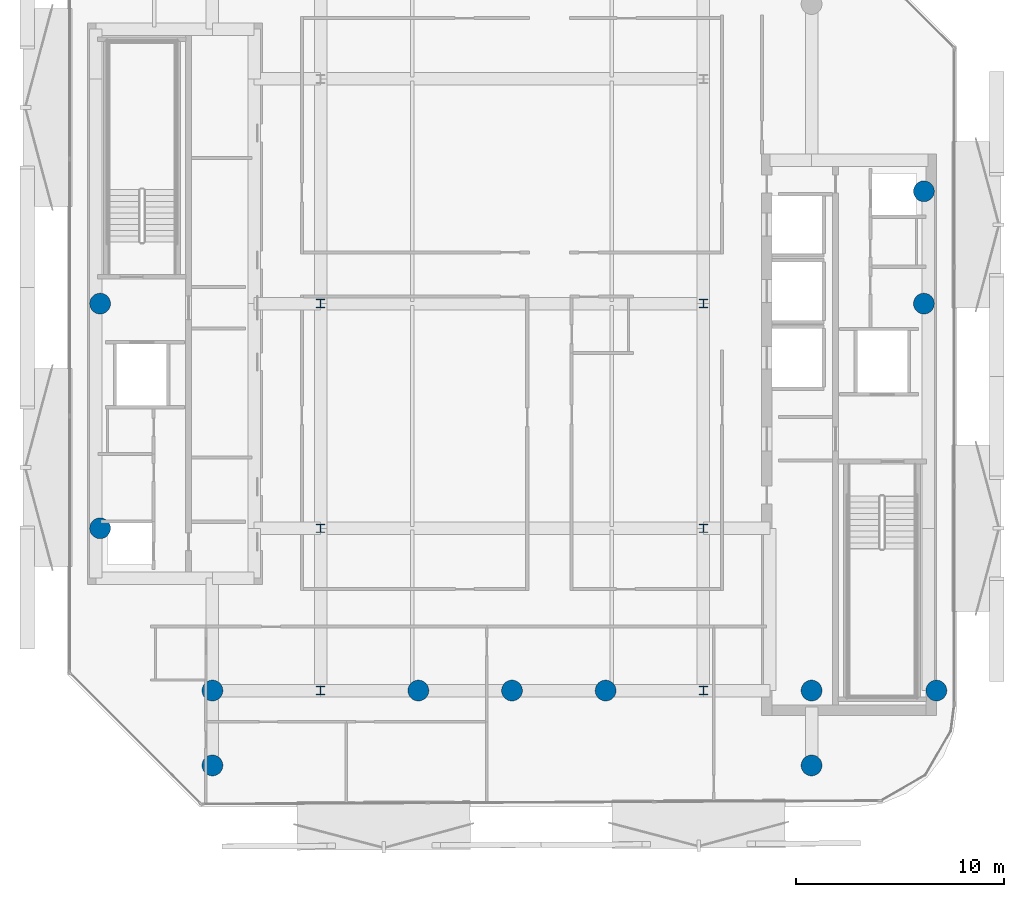
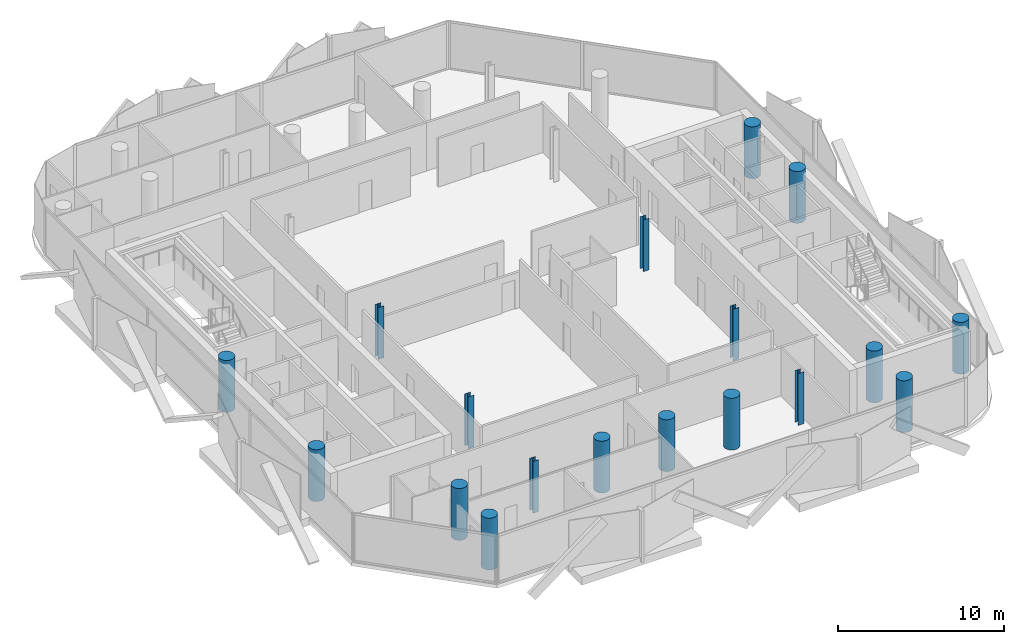
# One storey, part 1 of 15: 18 columns.
"""IFC4 building model written with IfcOpenShell, lengths in metres."""

from ifc_helpers import new_model, si_unit, direction, frame, origin, origin_2d, place, context, subcontext, project, spatial, circle, i_section, extrude, material, material_profile, profile_set, type_object, element, save


model = new_model("IFC4")

# Units and contexts
model_context = context("Model", 3, precision=1e-05, world=origin(), true_north=direction((0.0, 1.0)))
body_context = subcontext(model_context, "Body", "Model", "MODEL_VIEW")
ifc_project = project(units=[si_unit("LENGTHUNIT", "METRE"), si_unit("AREAUNIT", "SQUARE_METRE"), si_unit("VOLUMEUNIT", "CUBIC_METRE"), si_unit("PLANEANGLEUNIT", "RADIAN"), si_unit("MASSUNIT", "GRAM", prefix="KILO")], contexts=[model_context])

# Site, building, storey
site_placement = place(None, origin())
site = spatial("IfcSite", under=ifc_project, at=site_placement, CompositionType="ELEMENT")
building_placement = place(site_placement, origin())
building = spatial("IfcBuilding", under=site, at=building_placement, Name="Khairoan Windgate Tower", CompositionType="ELEMENT")
storey_placement = place(building_placement, frame((0.0, 0.0, 289.0)))
storey = spatial("IfcBuildingStorey", under=building, at=storey_placement, Name="L69", CompositionType="ELEMENT", Elevation=289.0)

# Columns
ifc_material_1 = material(Name="Concrete C60/75", Category="concrete")
ifc_material_profile_1 = material_profile(ifc_material_1, circle(Radius=0.5, at=origin_2d()))
ifc_profile_set_1 = profile_set([ifc_material_profile_1], Name="Concrete C60/75")
column_type_1 = type_object("IfcColumnType", Name="Column C-P1 RC-D1000", PredefinedType="COLUMN", material=ifc_profile_set_1)
for number, where, z_axis, x_axis, name in (
    (1, (20.39990234375, -18.60009765625, 0.0), (0.0, 0.0, 1.0), (1.0, 0.0, 0.0), "Column L69-12"),
    (2, (-14.39990234375, -18.60009765625, 0.0), (0.0, 0.0, 1.0), (1.0, 0.0, 0.0), "Column L69-13"),
    (3, (14.39990234375, -18.60009765625, 0.0), (0.0, 0.0, 1.0), (1.0, 0.0, 0.0), "Column L69-15"),
    (4, (-4.5, -18.60009765625, 0.0), (0.0, 0.0, 1.0), (1.0, 0.0, 0.0), "Column L69-17"),
    (5, (0.0, -18.60009765625, 0.0), (0.0, 0.0, 1.0), (1.0, 0.0, 0.0), "Column L69-18"),
    (6, (4.5, -18.60009765625, 0.0), (0.0, 0.0, 1.0), (1.0, 0.0, 0.0), "Column L69-19"),
    (7, (-19.800048828125, -10.800048828125, 0.0), (0.0, 0.0, 1.0), (1.0, 0.0, 0.0), "Column L69-23"),
    (8, (-19.800048828125, 0.0, 0.0), (0.0, 0.0, 1.0), (1.0, 0.0, 0.0), "Column L69-24"),
    (9, (19.800048828125, 0.0, 0.0), (0.0, 0.0, 1.0), (1.0, 0.0, 0.0), "Column L69-25"),
    (10, (19.800048828125, 5.39990234375, 0.0), (0.0, 0.0, 1.0), (1.0, 0.0, 0.0), "Column L69-26"),
    (11, (-14.39990234375, -22.199951171875, 0.0), (0.0, 0.0, 1.0), (1.0, 0.0, 0.0), "Column L69-27"),
    (12, (14.39990234375, -22.199951171875, 0.0), (0.0, 0.0, 1.0), (1.0, 0.0, 0.0), "Column L69-29"),
):
    element("IfcColumn", number, at=place(storey_placement, frame(where, z_axis=z_axis, x_axis=x_axis)), inside=storey, type_object=column_type_1, Name=name, PredefinedType="COLUMN", context=body_context, shape_type="SweptSolid", body=[
        extrude(circle(Radius=0.5, at=origin_2d()), origin(), (0.0, 0.0, 1.0), 3.800048828125),
    ])
ifc_material_2 = material(Name="Steel S355", Category="steel")
ifc_material_profile_2 = material_profile(ifc_material_2, i_section(OverallWidth=0.39990234375, OverallDepth=0.39990234375, WebThickness=0.012939453125, FlangeThickness=0.02099609375, FilletRadius=0.02197265625, at=origin_2d()))
ifc_profile_set_2 = profile_set([ifc_material_profile_2], Name="Steel S355")
column_type_2 = type_object("IfcColumnType", Name="Steel Column SC4 H400x400x13x21", PredefinedType="COLUMN", material=ifc_profile_set_2)
for number, where, z_axis, x_axis, name in (
    (13, (-9.199951171875, -18.60009765625, 0.0), (0.0, 0.0, 1.0), (1.0, 0.0, 0.0), "Column L69-01"),
    (14, (-9.199951171875, -10.800048828125, 0.0), (0.0, 0.0, 1.0), (1.0, 0.0, 0.0), "Column L69-02"),
    (15, (-9.199951171875, 0.0, 0.0), (0.0, 0.0, 1.0), (1.0, 0.0, 0.0), "Column L69-03"),
    (16, (9.199951171875, -18.60009765625, 0.0), (0.0, 0.0, 1.0), (1.0, 0.0, 0.0), "Column L69-06"),
    (17, (9.199951171875, -10.800048828125, 0.0), (0.0, 0.0, 1.0), (1.0, 0.0, 0.0), "Column L69-07"),
    (18, (9.199951171875, 0.0, 0.0), (0.0, 0.0, 1.0), (1.0, 0.0, 0.0), "Column L69-08"),
):
    element("IfcColumn", number, at=place(storey_placement, frame(where, z_axis=z_axis, x_axis=x_axis)), inside=storey, type_object=column_type_2, Name=name, PredefinedType="COLUMN", context=body_context, shape_type="SweptSolid", body=[
        extrude(i_section(OverallWidth=0.39990234375, OverallDepth=0.39990234375, WebThickness=0.012939453125, FlangeThickness=0.02099609375, FilletRadius=0.02197265625, at=origin_2d()), origin(), (0.0, 0.0, 1.0), 3.800048828125),
    ])

save(model, "model.ifc")
